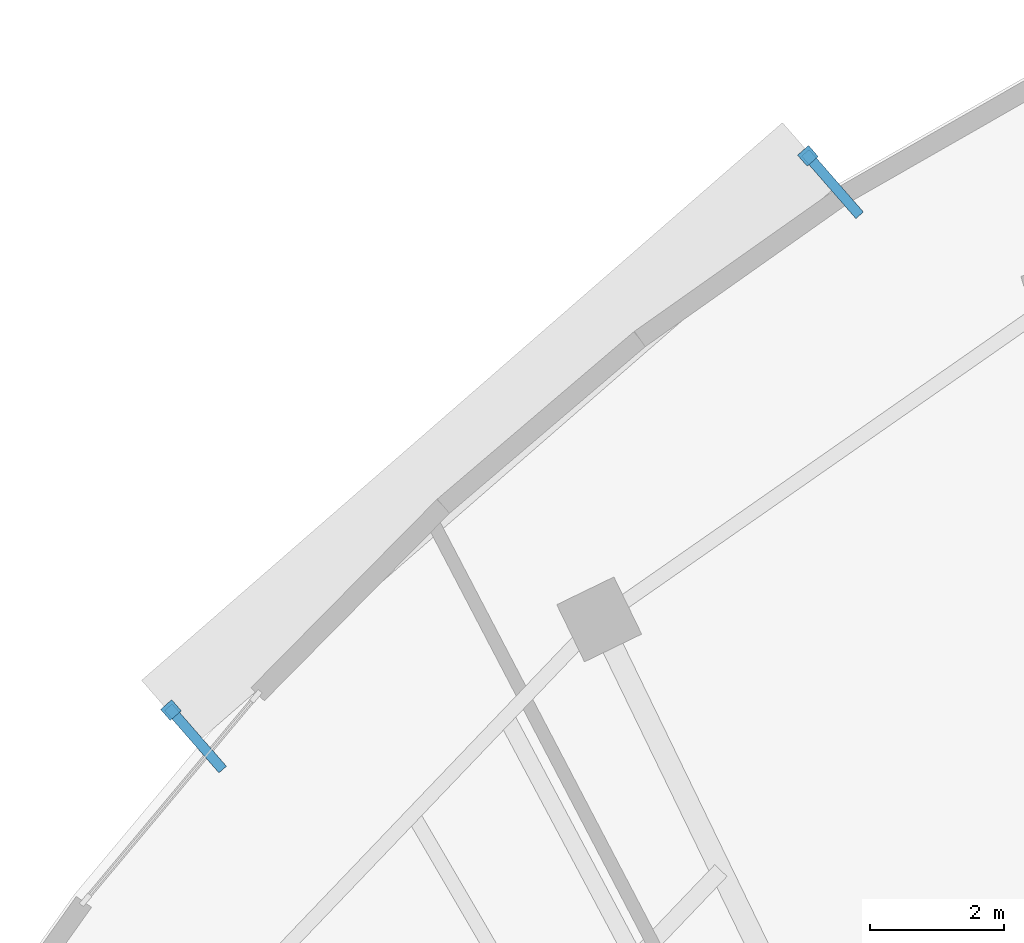
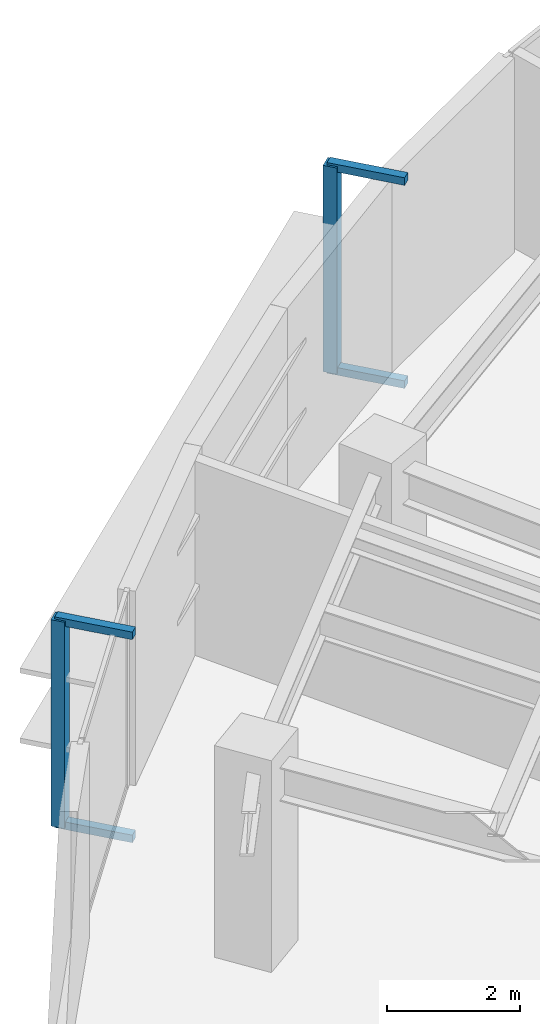
# One storey, part 11 of 12: 6 discrete accessories.
"""IFC4 building model written with IfcOpenShell, lengths in metres."""

from ifc_helpers import new_model, si_unit, direction, frame, origin, origin_2d, place, context, subcontext, project, spatial, rectangle, extrude, source, transform, mapped, material, type_object, type_shapes, element, save


model = new_model("IFC4")

# Units and contexts
model_context = context("Model", 3, precision=1e-05, world=origin(), true_north=direction((0.0, 1.0)))
body_context = subcontext(model_context, "Body", "Model", "MODEL_VIEW")
ifc_project = project(units=[si_unit("LENGTHUNIT", "METRE"), si_unit("AREAUNIT", "SQUARE_METRE"), si_unit("VOLUMEUNIT", "CUBIC_METRE"), si_unit("PLANEANGLEUNIT", "RADIAN"), si_unit("MASSUNIT", "GRAM", prefix="KILO")], contexts=[model_context])

# Site, building, storey
site_placement = place(None, origin())
site = spatial("IfcSite", under=ifc_project, at=site_placement, CompositionType="ELEMENT")
building_placement = place(site_placement, origin())
building = spatial("IfcBuilding", under=site, at=building_placement, Name="Breltana Convention Tower", CompositionType="ELEMENT")
storey_placement = place(building_placement, frame((0.0, 0.0, 250.800048828125)))
storey = spatial("IfcBuildingStorey", under=building, at=storey_placement, Name="L61", CompositionType="ELEMENT", Elevation=250.800048828125)

# Discrete accessories
ifc_material = material(Name="Steel S355", Category="steel")
discrete_accessory_type_1 = type_object("IfcDiscreteAccessoryType", Name="ACC-DSF-BRACKET-150", PredefinedType="BRACKET", material=ifc_material)
shared_shape_1 = source(origin(), body_context, "Body", "SweptSolid", [
    extrude(rectangle(XDim=1.239990234375, YDim=0.14990234375, at=origin_2d()), origin(), (0.0, 0.0, 1.0), 0.139892578125),
])
type_shapes(discrete_accessory_type_1, [shared_shape_1])
for number, where, z_axis, x_axis, name in (
    (1, (19.84619140625, 65.84716796875, -0.16015625), (0.0, 0.0, 1.0), (-0.656450428512, 0.754369163544, 0.0), "L61 double-skin slab stand-off bracket 1.1B"),
    (2, (19.84619140625, 65.84716796875, 3.580078125), (0.0, 0.0, 1.0), (-0.656450428512, 0.754369163544, 0.0), "L61 double-skin slab stand-off bracket 1.1T"),
    (3, (29.37841796875, 74.14208984375, -0.16015625), (0.0, 0.0, 1.0), (-0.656450428512, 0.754369163544, 0.0), "L61 double-skin slab stand-off bracket 1.2B"),
    (4, (29.37841796875, 74.14208984375, 3.580078125), (0.0, 0.0, 1.0), (-0.656450428512, 0.754369163544, 0.0), "L61 double-skin slab stand-off bracket 1.2T"),
):
    element("IfcDiscreteAccessory", number, at=place(storey_placement, frame(where, z_axis=z_axis, x_axis=x_axis)), inside=storey, type_object=discrete_accessory_type_1, Name=name, PredefinedType="BRACKET", context=body_context, shape_type="MappedRepresentation", body=[
        mapped(shared_shape_1, transform((0.0, 0.0, 0.0), scale=1.0)),
    ])
discrete_accessory_type_2 = type_object("IfcDiscreteAccessoryType", Name="ACC-DSF-CARRIER-150", PredefinedType="BRACKET", material=ifc_material)
shared_shape_2 = source(origin(), body_context, "Body", "SweptSolid", [
    extrude(rectangle(XDim=0.219970703125, YDim=0.219970703125, at=origin_2d()), origin(), (0.0, 0.0, 1.0), 3.800048828125),
])
for number, where, z_axis, x_axis, name in (
    (5, (19.478515625, 66.26953125, -0.1201171875), (0.0, 0.0, 1.0), (-0.656450428512, 0.754369163544, 0.0), "L61 double-skin outer vertical carrier 1.1"),
    (6, (29.0107421875, 74.564453125, -0.1201171875), (0.0, 0.0, 1.0), (-0.656450428512, 0.754369163544, 0.0), "L61 double-skin outer vertical carrier 1.2"),
):
    element("IfcDiscreteAccessory", number, at=place(storey_placement, frame(where, z_axis=z_axis, x_axis=x_axis)), inside=storey, type_object=discrete_accessory_type_2, Name=name, PredefinedType="BRACKET", context=body_context, shape_type="MappedRepresentation", body=[
        mapped(shared_shape_2, transform((0.0, 0.0, 0.0), scale=1.0)),
    ])

save(model, "model.ifc")
